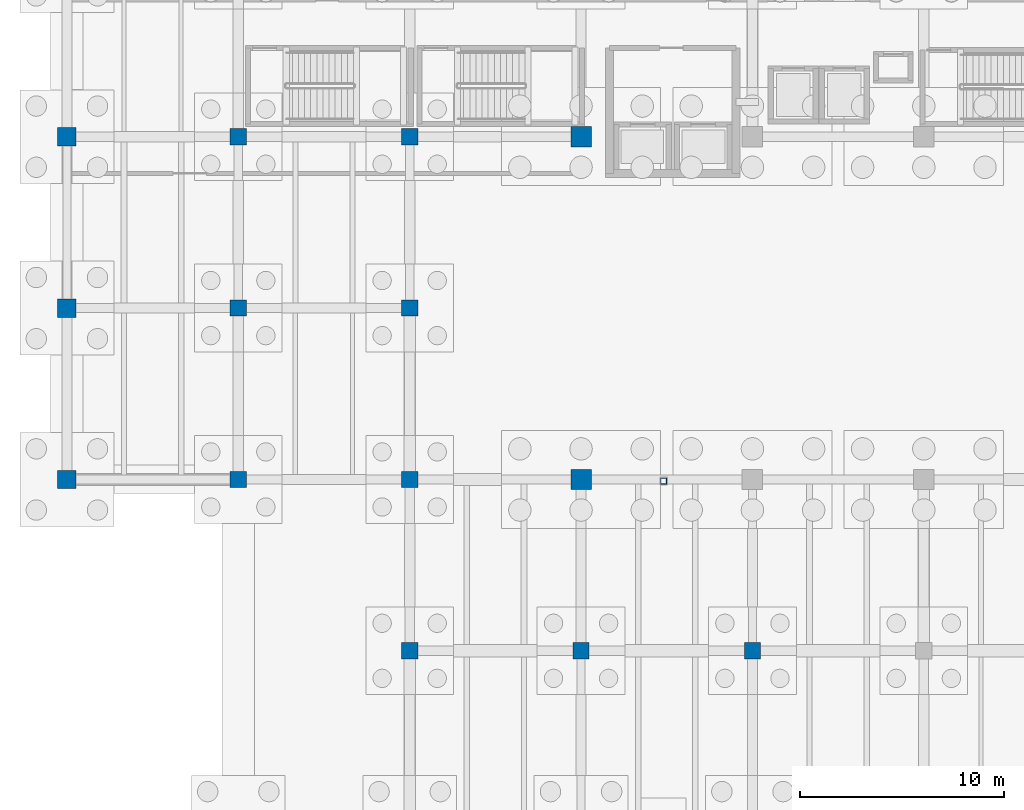
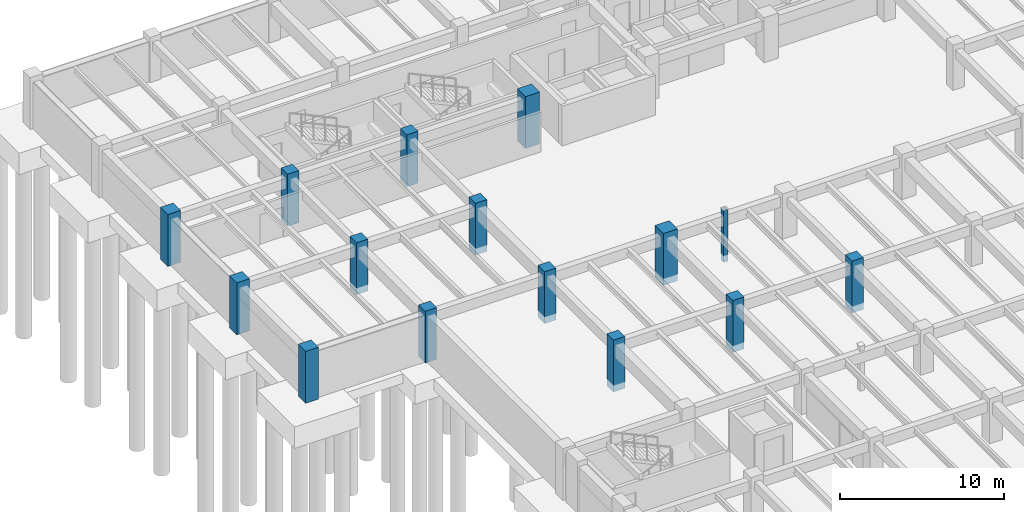
# One storey, part 18 of 70: 15 columns.
"""IFC4 building model written with IfcOpenShell, lengths in metres."""

from ifc_helpers import new_model, si_unit, direction, frame, origin, origin_2d, place, context, subcontext, project, spatial, rectangle, hollow_rectangle, extrude, material, material_profile, profile_set, type_object, element, save


model = new_model("IFC4")

# Units and contexts
model_context = context("Model", 3, precision=1e-05, world=origin(), true_north=direction((0.0, 1.0)))
body_context = subcontext(model_context, "Body", "Model", "MODEL_VIEW")
ifc_project = project(units=[si_unit("LENGTHUNIT", "METRE"), si_unit("AREAUNIT", "SQUARE_METRE"), si_unit("VOLUMEUNIT", "CUBIC_METRE"), si_unit("PLANEANGLEUNIT", "RADIAN"), si_unit("MASSUNIT", "GRAM", prefix="KILO")], contexts=[model_context])

# Site, building, storey
site_placement = place(None, origin())
site = spatial("IfcSite", under=ifc_project, at=site_placement, CompositionType="ELEMENT")
building_placement = place(site_placement, origin())
building = spatial("IfcBuilding", under=site, at=building_placement, Name="Cumbredor Promenade Congress Hotel", CompositionType="ELEMENT")
storey_placement = place(building_placement, frame((0.0, 0.0, -7.56005859375)))
storey = spatial("IfcBuildingStorey", under=building, at=storey_placement, Name="B02", CompositionType="ELEMENT", Elevation=-7.56005859375)

# Columns
ifc_material_1 = material(Name="Concrete C50/60", Category="concrete")
ifc_material_profile_1 = material_profile(ifc_material_1, rectangle(XDim=1.0, YDim=1.0, at=origin_2d()), Name="RC 1000x1000")
ifc_profile_set_1 = profile_set([ifc_material_profile_1], Name="Concrete C50/60")
column_type_1 = type_object("IfcColumnType", Name="COL-RC-1000", PredefinedType="COLUMN", material=ifc_profile_set_1)
for number, where, z_axis, x_axis, name in (
    (1, (25.199951171875, 84.0, -0.5), (0.0, 0.0, 1.0), (1.0, 0.0, 0.0), "B02 Structural Column 042"),
    (2, (25.199951171875, 100.800048828125, -0.5), (0.0, 0.0, 1.0), (1.0, 0.0, 0.0), "B02 Structural Column 043"),
):
    element("IfcColumn", number, at=place(storey_placement, frame(where, z_axis=z_axis, x_axis=x_axis)), inside=storey, type_object=column_type_1, Name=name, PredefinedType="COLUMN", context=body_context, shape_type="SweptSolid", body=[
        extrude(rectangle(XDim=1.0, YDim=1.0, at=origin_2d()), origin(), (0.0, 0.0, 1.0), 3.860107421875),
    ])
ifc_material_profile_2 = material_profile(ifc_material_1, rectangle(XDim=0.800048828125, YDim=0.800048828125, at=origin_2d()), Name="RC 800x800")
ifc_profile_set_2 = profile_set([ifc_material_profile_2], Name="Concrete C50/60")
column_type_2 = type_object("IfcColumnType", Name="COL-RC-800", PredefinedType="COLUMN", material=ifc_profile_set_2)
for number, where, z_axis, x_axis, name in (
    (3, (8.39990234375, 84.0, -0.5), (0.0, 0.0, 1.0), (1.0, 0.0, 0.0), "B02 Structural Column 014"),
    (4, (8.39990234375, 92.39990234375, -0.5), (0.0, 0.0, 1.0), (1.0, 0.0, 0.0), "B02 Structural Column 015"),
    (5, (8.39990234375, 100.800048828125, -0.5), (0.0, 0.0, 1.0), (1.0, 0.0, 0.0), "B02 Structural Column 016"),
    (6, (16.800048828125, 75.60009765625, -0.5), (0.0, 0.0, 1.0), (1.0, 0.0, 0.0), "B02 Structural Column 027"),
    (7, (16.800048828125, 84.0, -0.5), (0.0, 0.0, 1.0), (1.0, 0.0, 0.0), "B02 Structural Column 028"),
    (8, (16.800048828125, 92.39990234375, -0.5), (0.0, 0.0, 1.0), (1.0, 0.0, 0.0), "B02 Structural Column 029"),
    (9, (16.800048828125, 100.800048828125, -0.5), (0.0, 0.0, 1.0), (1.0, 0.0, 0.0), "B02 Structural Column 030"),
    (10, (25.199951171875, 75.60009765625, -0.5), (0.0, 0.0, 1.0), (1.0, 0.0, 0.0), "B02 Structural Column 041"),
    (11, (33.60009765625, 75.60009765625, -0.5), (0.0, 0.0, 1.0), (1.0, 0.0, 0.0), "B02 Structural Column 054"),
):
    element("IfcColumn", number, at=place(storey_placement, frame(where, z_axis=z_axis, x_axis=x_axis)), inside=storey, type_object=column_type_2, Name=name, PredefinedType="COLUMN", context=body_context, shape_type="SweptSolid", body=[
        extrude(rectangle(XDim=0.800048828125, YDim=0.800048828125, at=origin_2d()), origin(), (0.0, 0.0, 1.0), 3.860107421875),
    ])
ifc_material_profile_3 = material_profile(ifc_material_1, rectangle(XDim=0.89990234375, YDim=0.89990234375, at=origin_2d()), Name="RC 900x900")
ifc_profile_set_3 = profile_set([ifc_material_profile_3], Name="Concrete C50/60")
column_type_3 = type_object("IfcColumnType", Name="COL-RC-900", PredefinedType="COLUMN", material=ifc_profile_set_3)
for number, where, z_axis, x_axis, name in (
    (12, (0.0, 84.0, -0.5), (0.0, 0.0, 1.0), (1.0, 0.0, 0.0), "B02 Structural Column 001"),
    (13, (0.0, 92.39990234375, -0.5), (0.0, 0.0, 1.0), (1.0, 0.0, 0.0), "B02 Structural Column 002"),
    (14, (0.0, 100.800048828125, -0.5), (0.0, 0.0, 1.0), (1.0, 0.0, 0.0), "B02 Structural Column 003"),
):
    element("IfcColumn", number, at=place(storey_placement, frame(where, z_axis=z_axis, x_axis=x_axis)), inside=storey, type_object=column_type_3, Name=name, PredefinedType="COLUMN", context=body_context, shape_type="SweptSolid", body=[
        extrude(rectangle(XDim=0.89990234375, YDim=0.89990234375, at=origin_2d()), origin(), (0.0, 0.0, 1.0), 3.860107421875),
    ])
ifc_material_2 = material(Name="Steel ASTM A500 Grade C", Category="steel")
ifc_material_profile_4 = material_profile(ifc_material_2, hollow_rectangle(XDim=0.300048828125, YDim=0.300048828125, WallThickness=0.01611328125, at=origin_2d()), Name="HSS 300x300x16")
ifc_profile_set_4 = profile_set([ifc_material_profile_4], Name="Steel ASTM A500 Grade C")
column_type_4 = type_object("IfcColumnType", Name="COL-STL-HSS300", PredefinedType="COLUMN", material=ifc_profile_set_4)
column_placement = place(storey_placement, frame((29.25, 83.919921875, -0.5), z_axis=(0.0, 0.0, 1.0), x_axis=(1.0, 0.0, 0.0)))
element("IfcColumn", 15, at=column_placement, inside=storey, type_object=column_type_4, Name="West Congress-to-Hotel Glazed Bridge B02 Substructure Pier 4", PredefinedType="COLUMN", context=body_context, shape_type="SweptSolid", body=[
    extrude(hollow_rectangle(XDim=0.300048828125, YDim=0.300048828125, WallThickness=0.01611328125, at=origin_2d()), origin(), (0.0, 0.0, 1.0), 3.860107421875),
])

save(model, "model.ifc")
